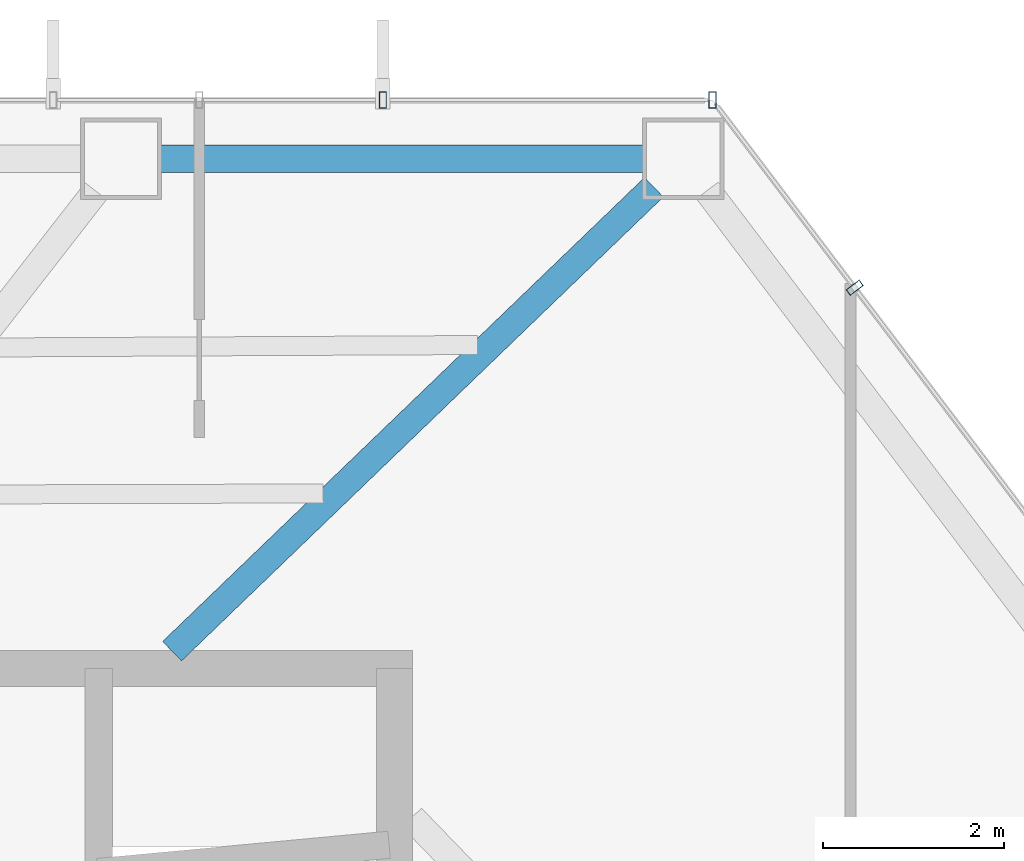
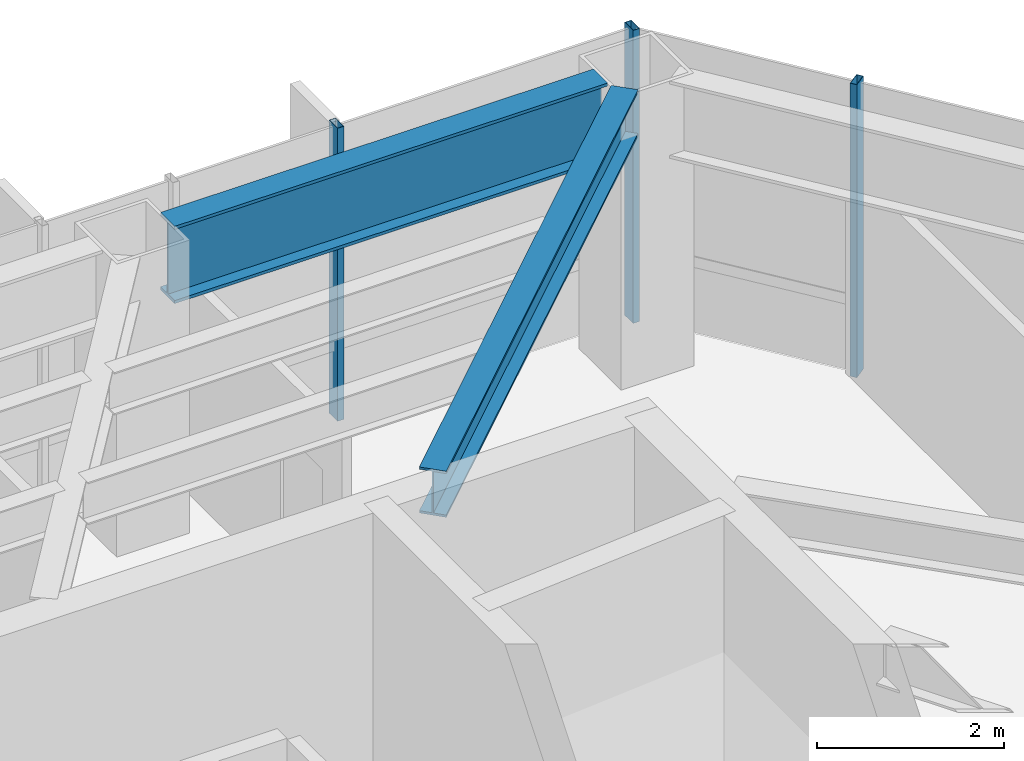
# One storey, part 18 of 24: 3 members, 2 beams, 2 elements without a shape of their own.
"""IFC4 building model written with IfcOpenShell, lengths in metres."""

from ifc_helpers import new_model, si_unit, direction, frame, origin, origin_2d, place, context, subcontext, project, spatial, hollow_rectangle, i_section, extrude, material, layer, layer_set, material_profile, profile_set, type_object, element, aggregate, save


model = new_model("IFC4")

# Units and contexts
model_context = context("Model", 3, precision=1e-05, world=origin(), true_north=direction((0.0, 1.0)))
body_context = subcontext(model_context, "Body", "Model", "MODEL_VIEW")
ifc_project = project(units=[si_unit("LENGTHUNIT", "METRE"), si_unit("AREAUNIT", "SQUARE_METRE"), si_unit("VOLUMEUNIT", "CUBIC_METRE"), si_unit("PLANEANGLEUNIT", "RADIAN"), si_unit("MASSUNIT", "GRAM", prefix="KILO")], contexts=[model_context])

# Site, building, storey
site_placement = place(None, origin())
site = spatial("IfcSite", under=ifc_project, at=site_placement, CompositionType="ELEMENT")
building_placement = place(site_placement, origin())
building = spatial("IfcBuilding", under=site, at=building_placement, Name="Zarrinselat Tower", CompositionType="ELEMENT")
storey_placement = place(building_placement, frame((0.0, 0.0, 72.419921875)))
storey = spatial("IfcBuildingStorey", under=building, at=storey_placement, Name="L17", CompositionType="ELEMENT", Elevation=72.419921875)

# Beams
ifc_material_1 = material(Name="Steel S355J2", Category="steel")
ifc_material_profile_1 = material_profile(ifc_material_1, i_section(OverallWidth=0.300048828125, OverallDepth=0.60009765625, WebThickness=0.015380859375, FlangeThickness=0.030029296875, at=origin_2d()), Name="HEB 600")
ifc_profile_set_1 = profile_set([ifc_material_profile_1], Name="Steel S355J2")
beam_type_1 = type_object("IfcBeamType", Name="BM-HEB600", PredefinedType="BEAM", material=ifc_profile_set_1)
beam_1_placement = place(storey_placement, frame((45.800048828125, 43.639892578125, 3.52001953125), z_axis=(0.720349534402, 0.69361123714, 0.0), x_axis=(-0.69361123714, 0.720349534402, 0.0)))
element("IfcBeam", 1, at=beam_1_placement, inside=storey, type_object=beam_type_1, Name="L17 Radial Primary Girder RG01", PredefinedType="BEAM", context=body_context, shape_type="SweptSolid", body=[
    extrude(i_section(OverallWidth=0.300048828125, OverallDepth=0.60009765625, WebThickness=0.015380859375, FlangeThickness=0.030029296875, at=origin_2d()), origin(), (0.0, 0.0, 1.0), 7.39599609375),
])
ifc_material_2 = material(Name="Steel S460M", Category="steel")
ifc_material_profile_2 = material_profile(ifc_material_2, i_section(OverallWidth=0.302001953125, OverallDepth=1.008056640625, WebThickness=0.02099609375, FlangeThickness=0.0400390625, at=origin_2d()), Name="HEM 1000")
ifc_profile_set_2 = profile_set([ifc_material_profile_2], Name="Steel S460M")
beam_type_2 = type_object("IfcBeamType", Name="BM-HEM1000", PredefinedType="BEAM", material=ifc_profile_set_2)
beam_2_placement = place(storey_placement, frame((45.673095703125, 49.083251953125, 3.316162109375), z_axis=(1.0, 0.0, 0.0), x_axis=(0.0, 1.0, 0.0)))
element("IfcBeam", 2, at=beam_2_placement, inside=storey, type_object=beam_type_2, Name="L17 Perimeter Spandrel Girder SP01", PredefinedType="BEAM", context=body_context, shape_type="SweptSolid", body=[
    extrude(i_section(OverallWidth=0.302001953125, OverallDepth=1.008056640625, WebThickness=0.02099609375, FlangeThickness=0.0400390625, at=origin_2d()), origin(), (0.0, 0.0, 1.0), 5.342041015625),
])

# Curtain wall, members
ifc_material_3 = material(Name="Extruded Aluminium Alloy EN AW-6063 T6", Category="aluminium")
ifc_layer = layer(ifc_material_3, 0.18505859375)
ifc_layer_set = layer_set([ifc_layer], Name="Extruded Aluminium Alloy EN AW-6063 T6")
curtain_wall_type = type_object("IfcCurtainWallType", Name="CWS-OFF", PredefinedType="NOTDEFINED", material=ifc_layer_set)
curtain_wall_1_placement = place(storey_placement, origin())
curtain_wall_1 = element("IfcCurtainWall", 3, at=curtain_wall_1_placement, inside=storey, type_object=curtain_wall_type, Name="L17 Unitised Curtain Wall CW-L17-E01", PredefinedType="NOTDEFINED")
ifc_material_4 = material(Name="Extruded Aluminium Alloy EN AW-6063 T6", Category="aluminium")
ifc_material_profile_3 = material_profile(ifc_material_4, hollow_rectangle(XDim=0.080078125, YDim=0.179931640625, WallThickness=0.0048828125, at=origin_2d()), Name="RHS 180x80x5")
ifc_profile_set_3 = profile_set([ifc_material_profile_3], Name="Extruded Aluminium Alloy EN AW-6063 T6")
member_type = type_object("IfcMemberType", Name="MEM-CW-MUL", PredefinedType="MULLION", material=ifc_profile_set_3)
member_1_placement = place(storey_placement, frame((51.776123046875, 49.7333984375, 0.0), z_axis=(0.0, 0.0, 1.0), x_axis=(-1.0, 0.0, 0.0)))
member_1 = element("IfcMember", 4, at=member_1_placement, type_object=member_type, Name="CW-L17-E01 Mullion 0", PredefinedType="MULLION", context=body_context, shape_type="SweptSolid", body=[
    extrude(hollow_rectangle(XDim=0.080078125, YDim=0.179931640625, WallThickness=0.0048828125, at=origin_2d()), origin(), (0.0, 0.0, 1.0), 3.820068359375),
])
member_2_placement = place(storey_placement, frame((48.130859375, 49.7333984375, 0.0), z_axis=(0.0, 0.0, 1.0), x_axis=(-1.0, 0.0, 0.0)))
member_2 = element("IfcMember", 5, at=member_2_placement, type_object=member_type, Name="CW-L17-E01 Mullion 1", PredefinedType="MULLION", context=body_context, shape_type="SweptSolid", body=[
    extrude(hollow_rectangle(XDim=0.080078125, YDim=0.179931640625, WallThickness=0.0048828125, at=origin_2d()), origin(), (0.0, 0.0, 1.0), 3.820068359375),
])
aggregate(curtain_wall_1, [member_1, member_2])

# Curtain wall, member
curtain_wall_2_placement = place(storey_placement, origin())
curtain_wall_2 = element("IfcCurtainWall", 6, at=curtain_wall_2_placement, inside=storey, type_object=curtain_wall_type, Name="L17 Unitised Curtain Wall CW-L17-E06", PredefinedType="NOTDEFINED")
member_3_placement = place(storey_placement, frame((53.347900390625, 47.65869140625, 0.0), z_axis=(0.0, 0.0, 1.0), x_axis=(-0.603856545426, 0.797093013736, 0.0)))
member_3 = element("IfcMember", 7, at=member_3_placement, type_object=member_type, Name="CW-L17-E06 Mullion 4", PredefinedType="MULLION", context=body_context, shape_type="SweptSolid", body=[
    extrude(hollow_rectangle(XDim=0.080078125, YDim=0.179931640625, WallThickness=0.0048828125, at=origin_2d()), origin(), (0.0, 0.0, 1.0), 3.820068359375),
])
aggregate(curtain_wall_2, [member_3])

save(model, "model.ifc")
